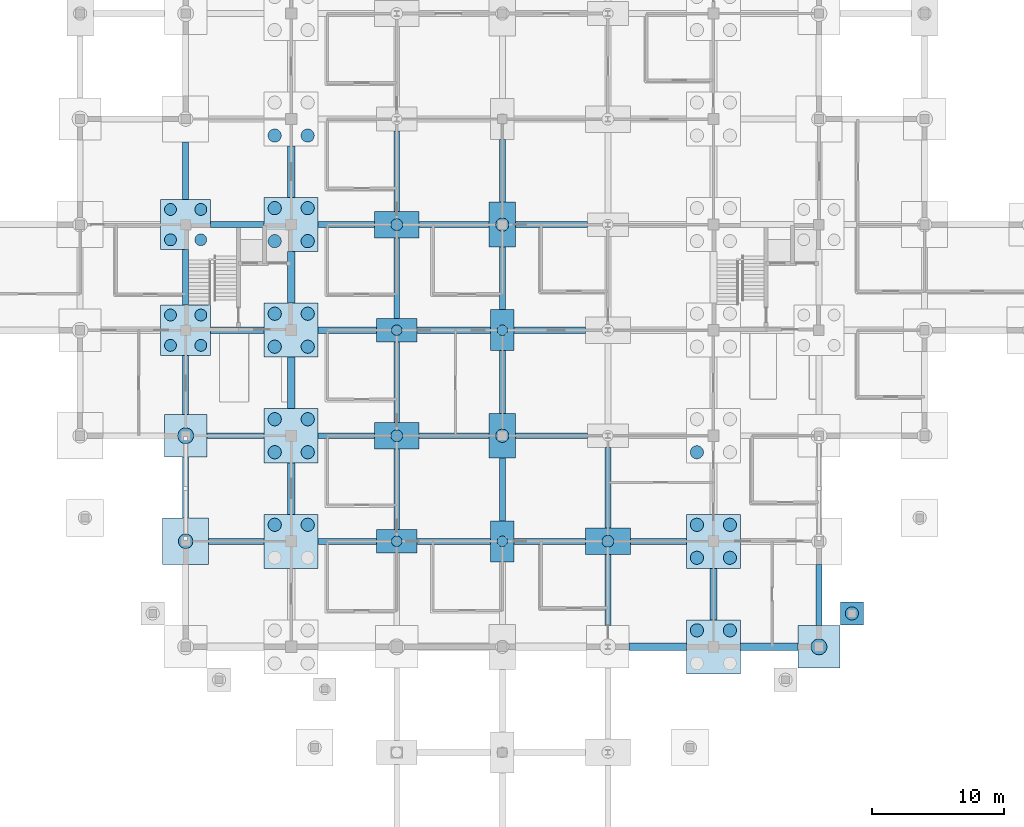
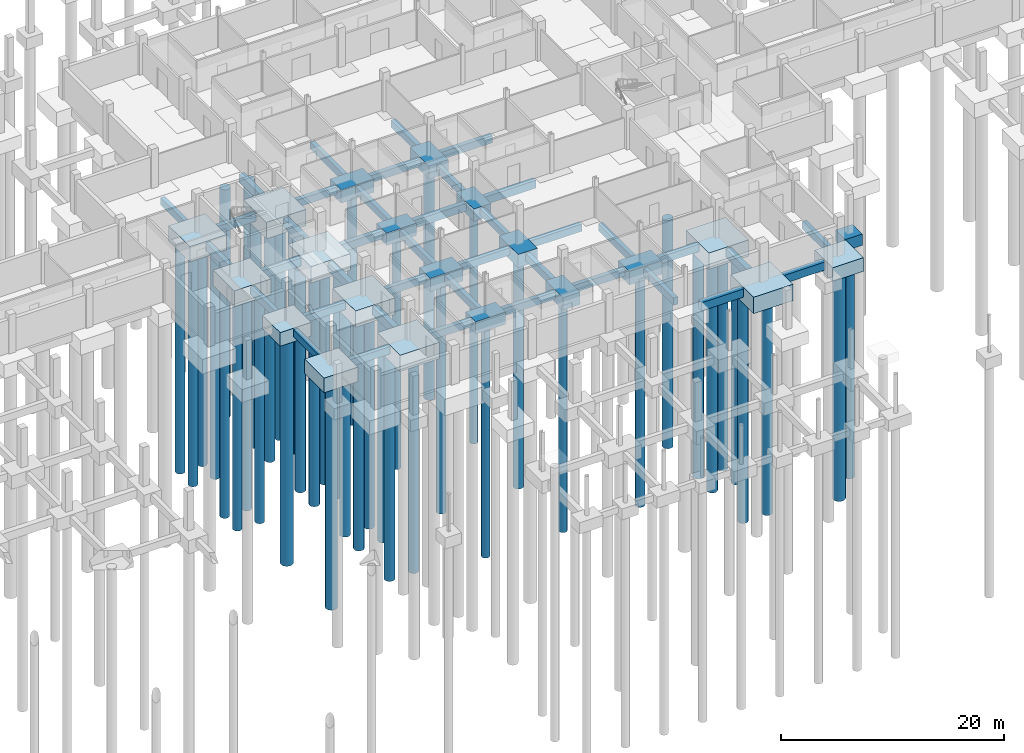
# One storey, part 4 of 48: 60 footings, 44 piles.
"""IFC4 building model written with IfcOpenShell, lengths in metres."""

from ifc_helpers import new_model, si_unit, derived_unit, direction, frame, origin, origin_2d, place, context, subcontext, project, spatial, rectangle, circle, extrude, material, material_profile, profile_set, type_object, element, save


model = new_model("IFC4")

# Units and contexts
model_context = context("Model", 3, precision=1e-05, world=origin(), true_north=direction((0.0, 1.0)))
body_context = subcontext(model_context, "Body", "Model", "MODEL_VIEW")
ifc_project = project(units=[si_unit("LENGTHUNIT", "METRE"), si_unit("AREAUNIT", "SQUARE_METRE"), si_unit("VOLUMEUNIT", "CUBIC_METRE"), si_unit("PLANEANGLEUNIT", "RADIAN"), si_unit("MASSUNIT", "GRAM", prefix="KILO"), derived_unit("THERMALTRANSMITTANCEUNIT", [(si_unit("MASSUNIT", "GRAM", prefix="KILO"), 1), (si_unit("TIMEUNIT", "SECOND"), -3), (si_unit("THERMODYNAMICTEMPERATUREUNIT", "KELVIN"), -1)])], contexts=[model_context])

# Site, building, storey
site_placement = place(None, origin())
site = spatial("IfcSite", under=ifc_project, at=site_placement, CompositionType="ELEMENT")
building_placement = place(site_placement, origin())
building = spatial("IfcBuilding", under=site, at=building_placement, Name="Veyamyaing Civic Hall", CompositionType="ELEMENT")
storey_placement = place(building_placement, frame((0.0, 0.0, -4.2900390625)))
storey = spatial("IfcBuildingStorey", under=building, at=storey_placement, Name="B1", CompositionType="ELEMENT", Elevation=-4.2900390625)

# Footings
ifc_material_1 = material(Name="Concrete C40/50", Category="concrete")
ifc_material_profile_1 = material_profile(ifc_material_1, rectangle(XDim=0.5, YDim=0.85009765625, at=origin_2d()), Name="GB-500X850")
ifc_profile_set_1 = profile_set([ifc_material_profile_1], Name="Concrete C40/50")
footing_type_1 = type_object("IfcFootingType", Name="GB-01", PredefinedType="FOOTING_BEAM", material=ifc_profile_set_1)
footing_1_placement = place(storey_placement, frame((65.89990234375, 48.0, -0.574951171875), z_axis=(1.0, 0.0, 0.0), x_axis=(0.0, 1.0, 0.0)))
element("IfcFooting", 1, at=footing_1_placement, inside=storey, type_object=footing_type_1, Name="Footing tie beam GB-01 X 8-6", PredefinedType="FOOTING_BEAM", context=body_context, shape_type="SweptSolid", body=[
    extrude(rectangle(XDim=0.5, YDim=0.85009765625, at=origin_2d()), origin(), (0.0, 0.0, 1.0), 4.050048828125),
])
footing_2_placement = place(storey_placement, frame((74.050048828125, 48.0, -0.574951171875), z_axis=(1.0, 0.0, 0.0), x_axis=(0.0, 1.0, 0.0)))
element("IfcFooting", 2, at=footing_2_placement, inside=storey, type_object=footing_type_1, Name="Footing tie beam GB-01 X 9-6", PredefinedType="FOOTING_BEAM", context=body_context, shape_type="SweptSolid", body=[
    extrude(rectangle(XDim=0.5, YDim=0.85009765625, at=origin_2d()), origin(), (0.0, 0.0, 1.0), 4.39990234375),
])
footing_3_placement = place(storey_placement, frame((81.550048828125, 48.0, -0.574951171875), z_axis=(1.0, 0.0, 0.0), x_axis=(0.0, 1.0, 0.0)))
element("IfcFooting", 3, at=footing_3_placement, inside=storey, type_object=footing_type_1, Name="Footing tie beam GB-01 X 10-6", PredefinedType="FOOTING_BEAM", context=body_context, shape_type="SweptSolid", body=[
    extrude(rectangle(XDim=0.5, YDim=0.85009765625, at=origin_2d()), origin(), (0.0, 0.0, 1.0), 5.550048828125),
])
footing_4_placement = place(storey_placement, frame((88.89990234375, 48.0, -0.574951171875), z_axis=(1.0, 0.0, 0.0), x_axis=(0.0, 1.0, 0.0)))
element("IfcFooting", 4, at=footing_4_placement, inside=storey, type_object=footing_type_1, Name="Footing tie beam GB-01 X 11-6", PredefinedType="FOOTING_BEAM", context=body_context, shape_type="SweptSolid", body=[
    extrude(rectangle(XDim=0.5, YDim=0.85009765625, at=origin_2d()), origin(), (0.0, 0.0, 1.0), 5.400146484375),
])
ifc_material_profile_2 = material_profile(ifc_material_1, rectangle(XDim=0.449951171875, YDim=0.800048828125, at=origin_2d()), Name="GB-450X800")
ifc_profile_set_2 = profile_set([ifc_material_profile_2], Name="Concrete C40/50")
footing_type_2 = type_object("IfcFootingType", Name="GB-02", PredefinedType="FOOTING_BEAM", material=ifc_profile_set_2)
footing_5_placement = place(storey_placement, frame((65.75, 32.0, -0.550048828125), z_axis=(1.0, 0.0, 0.0), x_axis=(0.0, 1.0, 0.0)))
element("IfcFooting", 5, at=footing_5_placement, inside=storey, type_object=footing_type_2, Name="Footing tie beam GB-02 X 8-4", PredefinedType="FOOTING_BEAM", context=body_context, shape_type="SweptSolid", body=[
    extrude(rectangle(XDim=0.449951171875, YDim=0.800048828125, at=origin_2d()), origin(), (0.0, 0.0, 1.0), 4.199951171875),
])
footing_6_placement = place(storey_placement, frame((64.0, 33.75, -0.550048828125), z_axis=(0.0, 1.0, 0.0), x_axis=(-1.0, 0.0, 0.0)))
element("IfcFooting", 6, at=footing_6_placement, inside=storey, type_object=footing_type_2, Name="Footing tie beam GB-02 Y 8-4", PredefinedType="FOOTING_BEAM", context=body_context, shape_type="SweptSolid", body=[
    extrude(rectangle(XDim=0.449951171875, YDim=0.800048828125, at=origin_2d()), origin(), (0.0, 0.0, 1.0), 4.64990234375),
])
footing_7_placement = place(storey_placement, frame((65.60009765625, 40.0, -0.550048828125), z_axis=(1.0, 0.0, 0.0), x_axis=(0.0, 1.0, 0.0)))
element("IfcFooting", 7, at=footing_7_placement, inside=storey, type_object=footing_type_2, Name="Footing tie beam GB-02 X 8-5", PredefinedType="FOOTING_BEAM", context=body_context, shape_type="SweptSolid", body=[
    extrude(rectangle(XDim=0.449951171875, YDim=0.800048828125, at=origin_2d()), origin(), (0.0, 0.0, 1.0), 4.349853515625),
])
footing_8_placement = place(storey_placement, frame((64.0, 41.60009765625, -0.550048828125), z_axis=(0.0, 1.0, 0.0), x_axis=(-1.0, 0.0, 0.0)))
element("IfcFooting", 8, at=footing_8_placement, inside=storey, type_object=footing_type_2, Name="Footing tie beam GB-02 Y 8-5", PredefinedType="FOOTING_BEAM", context=body_context, shape_type="SweptSolid", body=[
    extrude(rectangle(XDim=0.449951171875, YDim=0.800048828125, at=origin_2d()), origin(), (0.0, 0.0, 1.0), 4.5),
])
footing_9_placement = place(storey_placement, frame((64.0, 49.89990234375, -0.550048828125), z_axis=(0.0, 1.0, 0.0), x_axis=(-1.0, 0.0, 0.0)))
element("IfcFooting", 9, at=footing_9_placement, inside=storey, type_object=footing_type_2, Name="Footing tie beam GB-02 Y 8-6", PredefinedType="FOOTING_BEAM", context=body_context, shape_type="SweptSolid", body=[
    extrude(rectangle(XDim=0.449951171875, YDim=0.800048828125, at=origin_2d()), origin(), (0.0, 0.0, 1.0), 4.2001953125),
])
footing_10_placement = place(storey_placement, frame((65.89990234375, 56.0, -0.550048828125), z_axis=(1.0, 0.0, 0.0), x_axis=(0.0, 1.0, 0.0)))
element("IfcFooting", 10, at=footing_10_placement, inside=storey, type_object=footing_type_2, Name="Footing tie beam GB-02 X 8-7", PredefinedType="FOOTING_BEAM", context=body_context, shape_type="SweptSolid", body=[
    extrude(rectangle(XDim=0.449951171875, YDim=0.800048828125, at=origin_2d()), origin(), (0.0, 0.0, 1.0), 4.050048828125),
])
footing_11_placement = place(storey_placement, frame((64.0, 57.89990234375, -0.550048828125), z_axis=(0.0, 1.0, 0.0), x_axis=(-1.0, 0.0, 0.0)))
element("IfcFooting", 11, at=footing_11_placement, inside=storey, type_object=footing_type_2, Name="Footing tie beam GB-02 Y 8-7", PredefinedType="FOOTING_BEAM", context=body_context, shape_type="SweptSolid", body=[
    extrude(rectangle(XDim=0.449951171875, YDim=0.800048828125, at=origin_2d()), origin(), (0.0, 0.0, 1.0), 4.35009765625),
])
footing_12_placement = place(storey_placement, frame((74.050048828125, 32.0, -0.550048828125), z_axis=(1.0, 0.0, 0.0), x_axis=(0.0, 1.0, 0.0)))
element("IfcFooting", 12, at=footing_12_placement, inside=storey, type_object=footing_type_2, Name="Footing tie beam GB-02 X 9-4", PredefinedType="FOOTING_BEAM", context=body_context, shape_type="SweptSolid", body=[
    extrude(rectangle(XDim=0.449951171875, YDim=0.800048828125, at=origin_2d()), origin(), (0.0, 0.0, 1.0), 4.39990234375),
])
for number, where, z_axis, x_axis, name in (
    (13, (74.050048828125, 40.0, -0.550048828125), (1.0, 0.0, 0.0), (0.0, 1.0, 0.0), "Footing tie beam GB-02 X 9-5"),
    (14, (74.050048828125, 56.0, -0.550048828125), (1.0, 0.0, 0.0), (0.0, 1.0, 0.0), "Footing tie beam GB-02 X 9-7"),
):
    element("IfcFooting", number, at=place(storey_placement, frame(where, z_axis=z_axis, x_axis=x_axis)), inside=storey, type_object=footing_type_2, Name=name, PredefinedType="FOOTING_BEAM", context=body_context, shape_type="SweptSolid", body=[
        extrude(rectangle(XDim=0.449951171875, YDim=0.800048828125, at=origin_2d()), origin(), (0.0, 0.0, 1.0), 4.25),
    ])
footing_13_placement = place(storey_placement, frame((81.550048828125, 32.0, -0.550048828125), z_axis=(1.0, 0.0, 0.0), x_axis=(0.0, 1.0, 0.0)))
element("IfcFooting", 15, at=footing_13_placement, inside=storey, type_object=footing_type_2, Name="Footing tie beam GB-02 X 10-4", PredefinedType="FOOTING_BEAM", context=body_context, shape_type="SweptSolid", body=[
    extrude(rectangle(XDim=0.449951171875, YDim=0.800048828125, at=origin_2d()), origin(), (0.0, 0.0, 1.0), 5.550048828125),
])
footing_14_placement = place(storey_placement, frame((80.0, 32.89990234375, -0.550048828125), z_axis=(0.0, 1.0, 0.0), x_axis=(-1.0, 0.0, 0.0)))
element("IfcFooting", 16, at=footing_14_placement, inside=storey, type_object=footing_type_2, Name="Footing tie beam GB-02 Y 10-4", PredefinedType="FOOTING_BEAM", context=body_context, shape_type="SweptSolid", body=[
    extrude(rectangle(XDim=0.449951171875, YDim=0.800048828125, at=origin_2d()), origin(), (0.0, 0.0, 1.0), 6.10009765625),
])
footing_15_placement = place(storey_placement, frame((81.699951171875, 40.0, -0.550048828125), z_axis=(1.0, 0.0, 0.0), x_axis=(0.0, 1.0, 0.0)))
element("IfcFooting", 17, at=footing_15_placement, inside=storey, type_object=footing_type_2, Name="Footing tie beam GB-02 X 10-5", PredefinedType="FOOTING_BEAM", context=body_context, shape_type="SweptSolid", body=[
    extrude(rectangle(XDim=0.449951171875, YDim=0.800048828125, at=origin_2d()), origin(), (0.0, 0.0, 1.0), 5.300048828125),
])
for number, where, z_axis, x_axis, name in (
    (18, (80.0, 41.0, -0.550048828125), (0.0, 1.0, 0.0), (-1.0, 0.0, 0.0), "Footing tie beam GB-02 Y 10-5"),
    (19, (80.0, 48.89990234375, -0.550048828125), (0.0, 1.0, 0.0), (-1.0, 0.0, 0.0), "Footing tie beam GB-02 Y 10-6"),
):
    element("IfcFooting", number, at=place(storey_placement, frame(where, z_axis=z_axis, x_axis=x_axis)), inside=storey, type_object=footing_type_2, Name=name, PredefinedType="FOOTING_BEAM", context=body_context, shape_type="SweptSolid", body=[
        extrude(rectangle(XDim=0.449951171875, YDim=0.800048828125, at=origin_2d()), origin(), (0.0, 0.0, 1.0), 6.10009765625),
    ])
footing_16_placement = place(storey_placement, frame((81.699951171875, 56.0, -0.550048828125), z_axis=(1.0, 0.0, 0.0), x_axis=(0.0, 1.0, 0.0)))
element("IfcFooting", 20, at=footing_16_placement, inside=storey, type_object=footing_type_2, Name="Footing tie beam GB-02 X 10-7", PredefinedType="FOOTING_BEAM", context=body_context, shape_type="SweptSolid", body=[
    extrude(rectangle(XDim=0.449951171875, YDim=0.800048828125, at=origin_2d()), origin(), (0.0, 0.0, 1.0), 5.300048828125),
])
footing_17_placement = place(storey_placement, frame((80.0, 57.0, -0.550048828125), z_axis=(0.0, 1.0, 0.0), x_axis=(-1.0, 0.0, 0.0)))
element("IfcFooting", 21, at=footing_17_placement, inside=storey, type_object=footing_type_2, Name="Footing tie beam GB-02 Y 10-7", PredefinedType="FOOTING_BEAM", context=body_context, shape_type="SweptSolid", body=[
    extrude(rectangle(XDim=0.449951171875, YDim=0.800048828125, at=origin_2d()), origin(), (0.0, 0.0, 1.0), 6.10009765625),
])
footing_18_placement = place(storey_placement, frame((88.89990234375, 32.0, -0.550048828125), z_axis=(1.0, 0.0, 0.0), x_axis=(0.0, 1.0, 0.0)))
element("IfcFooting", 22, at=footing_18_placement, inside=storey, type_object=footing_type_2, Name="Footing tie beam GB-02 X 11-4", PredefinedType="FOOTING_BEAM", context=body_context, shape_type="SweptSolid", body=[
    extrude(rectangle(XDim=0.449951171875, YDim=0.800048828125, at=origin_2d()), origin(), (0.0, 0.0, 1.0), 5.400146484375),
])
footing_19_placement = place(storey_placement, frame((88.0, 33.550048828125, -0.550048828125), z_axis=(0.0, 1.0, 0.0), x_axis=(-1.0, 0.0, 0.0)))
element("IfcFooting", 23, at=footing_19_placement, inside=storey, type_object=footing_type_2, Name="Footing tie beam GB-02 Y 11-4", PredefinedType="FOOTING_BEAM", context=body_context, shape_type="SweptSolid", body=[
    extrude(rectangle(XDim=0.449951171875, YDim=0.800048828125, at=origin_2d()), origin(), (0.0, 0.0, 1.0), 4.75),
])
footing_20_placement = place(storey_placement, frame((89.0, 40.0, -0.550048828125), z_axis=(1.0, 0.0, 0.0), x_axis=(0.0, 1.0, 0.0)))
element("IfcFooting", 24, at=footing_20_placement, inside=storey, type_object=footing_type_2, Name="Footing tie beam GB-02 X 11-5", PredefinedType="FOOTING_BEAM", context=body_context, shape_type="SweptSolid", body=[
    extrude(rectangle(XDim=0.449951171875, YDim=0.800048828125, at=origin_2d()), origin(), (0.0, 0.0, 1.0), 5.449951171875),
])
for number, where, z_axis, x_axis, name in (
    (25, (88.0, 41.699951171875, -0.550048828125), (0.0, 1.0, 0.0), (-1.0, 0.0, 0.0), "Footing tie beam GB-02 Y 11-5"),
    (26, (88.0, 49.550048828125, -0.550048828125), (0.0, 1.0, 0.0), (-1.0, 0.0, 0.0), "Footing tie beam GB-02 Y 11-6"),
):
    element("IfcFooting", number, at=place(storey_placement, frame(where, z_axis=z_axis, x_axis=x_axis)), inside=storey, type_object=footing_type_2, Name=name, PredefinedType="FOOTING_BEAM", context=body_context, shape_type="SweptSolid", body=[
        extrude(rectangle(XDim=0.449951171875, YDim=0.800048828125, at=origin_2d()), origin(), (0.0, 0.0, 1.0), 4.75),
    ])
footing_21_placement = place(storey_placement, frame((89.0, 56.0, -0.550048828125), z_axis=(1.0, 0.0, 0.0), x_axis=(0.0, 1.0, 0.0)))
element("IfcFooting", 27, at=footing_21_placement, inside=storey, type_object=footing_type_2, Name="Footing tie beam GB-02 X 11-7", PredefinedType="FOOTING_BEAM", context=body_context, shape_type="SweptSolid", body=[
    extrude(rectangle(XDim=0.449951171875, YDim=0.800048828125, at=origin_2d()), origin(), (0.0, 0.0, 1.0), 5.449951171875),
])
footing_22_placement = place(storey_placement, frame((88.0, 57.699951171875, -0.550048828125), z_axis=(0.0, 1.0, 0.0), x_axis=(-1.0, 0.0, 0.0)))
element("IfcFooting", 28, at=footing_22_placement, inside=storey, type_object=footing_type_2, Name="Footing tie beam GB-02 Y 11-7", PredefinedType="FOOTING_BEAM", context=body_context, shape_type="SweptSolid", body=[
    extrude(rectangle(XDim=0.449951171875, YDim=0.800048828125, at=origin_2d()), origin(), (0.0, 0.0, 1.0), 4.75),
])
footing_23_placement = place(storey_placement, frame((96.0, 25.60009765625, -0.550048828125), z_axis=(0.0, 1.0, 0.0), x_axis=(-1.0, 0.0, 0.0)))
element("IfcFooting", 29, at=footing_23_placement, inside=storey, type_object=footing_type_2, Name="Footing tie beam GB-02 Y 12-3", PredefinedType="FOOTING_BEAM", context=body_context, shape_type="SweptSolid", body=[
    extrude(rectangle(XDim=0.449951171875, YDim=0.800048828125, at=origin_2d()), origin(), (0.0, 0.0, 1.0), 5.39990234375),
])
footing_24_placement = place(storey_placement, frame((97.699951171875, 32.0, -0.550048828125), z_axis=(1.0, 0.0, 0.0), x_axis=(0.0, 1.0, 0.0)))
element("IfcFooting", 30, at=footing_24_placement, inside=storey, type_object=footing_type_2, Name="Footing tie beam GB-02 X 12-4", PredefinedType="FOOTING_BEAM", context=body_context, shape_type="SweptSolid", body=[
    extrude(rectangle(XDim=0.449951171875, YDim=0.800048828125, at=origin_2d()), origin(), (0.0, 0.0, 1.0), 4.25),
])
footing_25_placement = place(storey_placement, frame((96.0, 33.0, -0.550048828125), z_axis=(0.0, 1.0, 0.0), x_axis=(-1.0, 0.0, 0.0)))
element("IfcFooting", 31, at=footing_25_placement, inside=storey, type_object=footing_type_2, Name="Footing tie beam GB-02 Y 12-4", PredefinedType="FOOTING_BEAM", context=body_context, shape_type="SweptSolid", body=[
    extrude(rectangle(XDim=0.449951171875, YDim=0.800048828125, at=origin_2d()), origin(), (0.0, 0.0, 1.0), 6.10009765625),
])
footing_26_placement = place(storey_placement, frame((112.0, 25.60009765625, -0.550048828125), z_axis=(0.0, 1.0, 0.0), x_axis=(-1.0, 0.0, 0.0)))
element("IfcFooting", 32, at=footing_26_placement, inside=storey, type_object=footing_type_2, Name="Footing tie beam GB-02 Y 14-3", PredefinedType="FOOTING_BEAM", context=body_context, shape_type="SweptSolid", body=[
    extrude(rectangle(XDim=0.449951171875, YDim=0.800048828125, at=origin_2d()), origin(), (0.0, 0.0, 1.0), 4.64990234375),
])
ifc_material_profile_3 = material_profile(ifc_material_1, rectangle(XDim=0.550048828125, YDim=0.89990234375, at=origin_2d()), Name="GB-550X900")
ifc_profile_set_3 = profile_set([ifc_material_profile_3], Name="Concrete C40/50")
footing_type_3 = type_object("IfcFootingType", Name="GB-04", PredefinedType="FOOTING_BEAM", material=ifc_profile_set_3)
for number, where, z_axis, x_axis, name in (
    (33, (72.0, 34.050048828125, -0.599853515625), (0.0, 1.0, 0.0), (-1.0, 0.0, 0.0), "Footing tie beam GB-04 Y 9-4"),
    (34, (72.0, 42.050048828125, -0.599853515625), (0.0, 1.0, 0.0), (-1.0, 0.0, 0.0), "Footing tie beam GB-04 Y 9-5"),
    (35, (72.0, 50.050048828125, -0.599853515625), (0.0, 1.0, 0.0), (-1.0, 0.0, 0.0), "Footing tie beam GB-04 Y 9-6"),
    (36, (72.0, 58.050048828125, -0.599853515625), (0.0, 1.0, 0.0), (-1.0, 0.0, 0.0), "Footing tie beam GB-04 Y 9-7"),
):
    element("IfcFooting", number, at=place(storey_placement, frame(where, z_axis=z_axis, x_axis=x_axis)), inside=storey, type_object=footing_type_3, Name=name, PredefinedType="FOOTING_BEAM", context=body_context, shape_type="SweptSolid", body=[
        extrude(rectangle(XDim=0.550048828125, YDim=0.89990234375, at=origin_2d()), origin(), (0.0, 0.0, 1.0), 3.89990234375),
    ])
for number, where, z_axis, x_axis, name in (
    (37, (97.60009765625, 24.0, -0.599853515625), (1.0, 0.0, 0.0), (0.0, 1.0, 0.0), "Footing tie beam GB-04 X 12-3"),
    (38, (106.050048828125, 24.0, -0.599853515625), (1.0, 0.0, 0.0), (0.0, 1.0, 0.0), "Footing tie beam GB-04 X 13-3"),
):
    element("IfcFooting", number, at=place(storey_placement, frame(where, z_axis=z_axis, x_axis=x_axis)), inside=storey, type_object=footing_type_3, Name=name, PredefinedType="FOOTING_BEAM", context=body_context, shape_type="SweptSolid", body=[
        extrude(rectangle(XDim=0.550048828125, YDim=0.89990234375, at=origin_2d()), origin(), (0.0, 0.0, 1.0), 4.349853515625),
    ])
footing_27_placement = place(storey_placement, frame((104.0, 26.050048828125, -0.599853515625), z_axis=(0.0, 1.0, 0.0), x_axis=(-1.0, 0.0, 0.0)))
element("IfcFooting", 39, at=footing_27_placement, inside=storey, type_object=footing_type_3, Name="Footing tie beam GB-04 Y 13-3", PredefinedType="FOOTING_BEAM", context=body_context, shape_type="SweptSolid", body=[
    extrude(rectangle(XDim=0.550048828125, YDim=0.89990234375, at=origin_2d()), origin(), (0.0, 0.0, 1.0), 3.89990234375),
])

# Piles
ifc_material_2 = material(Name="Concrete C35/45", Category="concrete")
ifc_material_profile_4 = material_profile(ifc_material_2, circle(Radius=0.60009765625, at=origin_2d()), Name="PILE-D1200")
ifc_profile_set_4 = profile_set([ifc_material_profile_4], Name="Concrete C35/45")
pile_type_1 = type_object("IfcPileType", Name="P-01", PredefinedType="BORED", material=ifc_profile_set_4)
for number, where, z_axis, x_axis, name in (
    (40, (64.0, 40.0, -1.39990234375), (0.0, 0.0, -1.0), (1.0, 0.0, 0.0), "Bored pile P-01 G08-05.1"),
    (41, (112.0, 24.0, -1.39990234375), (0.0, 0.0, -1.0), (1.0, 0.0, 0.0), "Bored pile P-01 G14-03.1"),
):
    element("IfcPile", number, at=place(storey_placement, frame(where, z_axis=z_axis, x_axis=x_axis)), inside=storey, type_object=pile_type_1, Name=name, PredefinedType="BORED", context=body_context, shape_type="SweptSolid", body=[
        extrude(circle(Radius=0.60009765625, at=origin_2d()), origin(), (0.0, 0.0, 1.0), 25.31005859375),
    ])
ifc_material_profile_5 = material_profile(ifc_material_2, circle(Radius=0.550048828125, at=origin_2d()), Name="PILE-D1100")
ifc_profile_set_5 = profile_set([ifc_material_profile_5], Name="Concrete C35/45")
pile_type_2 = type_object("IfcPileType", Name="P-02", PredefinedType="BORED", material=ifc_profile_set_5)
pile_1_placement = place(storey_placement, frame((64.0, 32.0, -1.5), z_axis=(0.0, 0.0, -1.0), x_axis=(1.0, 0.0, 0.0)))
element("IfcPile", 42, at=pile_1_placement, inside=storey, type_object=pile_type_2, Name="Bored pile P-02 G08-04.1", PredefinedType="BORED", context=body_context, shape_type="SweptSolid", body=[
    extrude(circle(Radius=0.550048828125, at=origin_2d()), origin(), (0.0, 0.0, 1.0), 25.2099609375),
])
ifc_material_profile_6 = material_profile(ifc_material_2, circle(Radius=0.5, at=origin_2d()), Name="PILE-D1000")
ifc_profile_set_6 = profile_set([ifc_material_profile_6], Name="Concrete C35/45")
pile_type_3 = type_object("IfcPileType", Name="P-03", PredefinedType="BORED", material=ifc_profile_set_6)
for number, where, z_axis, x_axis, name in (
    (43, (70.75, 33.25, -1.699951171875), (0.0, 0.0, -1.0), (1.0, 0.0, 0.0), "Bored pile P-03 G09-04.2"),
    (44, (73.25, 33.25, -1.699951171875), (0.0, 0.0, -1.0), (1.0, 0.0, 0.0), "Bored pile P-03 G09-04.4"),
    (45, (70.75, 38.75, -1.699951171875), (0.0, 0.0, -1.0), (1.0, 0.0, 0.0), "Bored pile P-03 G09-05.1"),
    (46, (70.75, 41.25, -1.699951171875), (0.0, 0.0, -1.0), (1.0, 0.0, 0.0), "Bored pile P-03 G09-05.2"),
    (47, (73.25, 38.75, -1.699951171875), (0.0, 0.0, -1.0), (1.0, 0.0, 0.0), "Bored pile P-03 G09-05.3"),
    (48, (73.25, 41.25, -1.699951171875), (0.0, 0.0, -1.0), (1.0, 0.0, 0.0), "Bored pile P-03 G09-05.4"),
    (49, (70.75, 46.75, -1.699951171875), (0.0, 0.0, -1.0), (1.0, 0.0, 0.0), "Bored pile P-03 G09-06.1"),
    (50, (70.75, 49.25, -1.699951171875), (0.0, 0.0, -1.0), (1.0, 0.0, 0.0), "Bored pile P-03 G09-06.2"),
    (51, (73.25, 46.75, -1.699951171875), (0.0, 0.0, -1.0), (1.0, 0.0, 0.0), "Bored pile P-03 G09-06.3"),
    (52, (73.25, 49.25, -1.699951171875), (0.0, 0.0, -1.0), (1.0, 0.0, 0.0), "Bored pile P-03 G09-06.4"),
    (53, (70.75, 54.75, -1.699951171875), (0.0, 0.0, -1.0), (1.0, 0.0, 0.0), "Bored pile P-03 G09-07.1"),
    (54, (70.75, 57.25, -1.699951171875), (0.0, 0.0, -1.0), (1.0, 0.0, 0.0), "Bored pile P-03 G09-07.2"),
    (55, (73.25, 54.75, -1.699951171875), (0.0, 0.0, -1.0), (1.0, 0.0, 0.0), "Bored pile P-03 G09-07.3"),
    (56, (73.25, 57.25, -1.699951171875), (0.0, 0.0, -1.0), (1.0, 0.0, 0.0), "Bored pile P-03 G09-07.4"),
    (57, (70.75, 62.75, -1.699951171875), (0.0, 0.0, -1.0), (1.0, 0.0, 0.0), "Bored pile P-03 G09-08.1"),
    (58, (73.25, 62.75, -1.699951171875), (0.0, 0.0, -1.0), (1.0, 0.0, 0.0), "Bored pile P-03 G09-08.3"),
):
    element("IfcPile", number, at=place(storey_placement, frame(where, z_axis=z_axis, x_axis=x_axis)), inside=storey, type_object=pile_type_3, Name=name, PredefinedType="BORED", context=body_context, shape_type="SweptSolid", body=[
        extrude(circle(Radius=0.5, at=origin_2d()), origin(), (0.0, 0.0, 1.0), 25.010009765625),
    ])
for number, where, z_axis, x_axis, name in (
    (59, (88.0, 40.0, -1.349853515625), (0.0, 0.0, -1.0), (1.0, 0.0, 0.0), "Bored pile P-03 G11-05.1"),
    (60, (88.0, 56.0, -1.349853515625), (0.0, 0.0, -1.0), (1.0, 0.0, 0.0), "Bored pile P-03 G11-07.1"),
):
    element("IfcPile", number, at=place(storey_placement, frame(where, z_axis=z_axis, x_axis=x_axis)), inside=storey, type_object=pile_type_3, Name=name, PredefinedType="BORED", context=body_context, shape_type="SweptSolid", body=[
        extrude(circle(Radius=0.5, at=origin_2d()), origin(), (0.0, 0.0, 1.0), 25.360107421875),
    ])
for number, where, z_axis, x_axis, name in (
    (61, (102.75, 25.25, -1.699951171875), (0.0, 0.0, -1.0), (1.0, 0.0, 0.0), "Bored pile P-03 G13-03.2"),
    (62, (105.25, 25.25, -1.699951171875), (0.0, 0.0, -1.0), (1.0, 0.0, 0.0), "Bored pile P-03 G13-03.4"),
    (63, (102.75, 30.75, -1.699951171875), (0.0, 0.0, -1.0), (1.0, 0.0, 0.0), "Bored pile P-03 G13-04.1"),
    (64, (102.75, 33.25, -1.699951171875), (0.0, 0.0, -1.0), (1.0, 0.0, 0.0), "Bored pile P-03 G13-04.2"),
    (65, (105.25, 30.75, -1.699951171875), (0.0, 0.0, -1.0), (1.0, 0.0, 0.0), "Bored pile P-03 G13-04.3"),
    (66, (105.25, 33.25, -1.699951171875), (0.0, 0.0, -1.0), (1.0, 0.0, 0.0), "Bored pile P-03 G13-04.4"),
    (67, (102.75, 38.75, -1.699951171875), (0.0, 0.0, -1.0), (1.0, 0.0, 0.0), "Bored pile P-03 G13-05.1"),
):
    element("IfcPile", number, at=place(storey_placement, frame(where, z_axis=z_axis, x_axis=x_axis)), inside=storey, type_object=pile_type_3, Name=name, PredefinedType="BORED", context=body_context, shape_type="SweptSolid", body=[
        extrude(circle(Radius=0.5, at=origin_2d()), origin(), (0.0, 0.0, 1.0), 25.010009765625),
    ])
pile_2_placement = place(storey_placement, frame((114.4951171875, 26.533447265625, -1.14990234375), z_axis=(0.0, 0.0, -1.0), x_axis=(1.0, 0.0, 0.0)))
element("IfcPile", 68, at=pile_2_placement, inside=storey, type_object=pile_type_3, Name="Bored pile P-03 ARC-SE-09.1", PredefinedType="BORED", context=body_context, shape_type="SweptSolid", body=[
    extrude(circle(Radius=0.5, at=origin_2d()), origin(), (0.0, 0.0, 1.0), 25.56005859375),
])
ifc_material_profile_7 = material_profile(ifc_material_2, circle(Radius=0.449951171875, at=origin_2d()), Name="PILE-D900")
ifc_profile_set_7 = profile_set([ifc_material_profile_7], Name="Concrete C35/45")
pile_type_4 = type_object("IfcPileType", Name="P-04", PredefinedType="BORED", material=ifc_profile_set_7)
for number, where, z_axis, x_axis, name in (
    (69, (62.85009765625, 46.85009765625, -1.599853515625), (0.0, 0.0, -1.0), (1.0, 0.0, 0.0), "Bored pile P-04 G08-06.1"),
    (70, (62.85009765625, 49.14990234375, -1.599853515625), (0.0, 0.0, -1.0), (1.0, 0.0, 0.0), "Bored pile P-04 G08-06.2"),
    (71, (65.14990234375, 46.85009765625, -1.599853515625), (0.0, 0.0, -1.0), (1.0, 0.0, 0.0), "Bored pile P-04 G08-06.3"),
    (72, (65.14990234375, 49.14990234375, -1.599853515625), (0.0, 0.0, -1.0), (1.0, 0.0, 0.0), "Bored pile P-04 G08-06.4"),
    (73, (62.85009765625, 54.85009765625, -1.599853515625), (0.0, 0.0, -1.0), (1.0, 0.0, 0.0), "Bored pile P-04 G08-07.1"),
    (74, (62.85009765625, 57.14990234375, -1.599853515625), (0.0, 0.0, -1.0), (1.0, 0.0, 0.0), "Bored pile P-04 G08-07.2"),
    (75, (65.14990234375, 54.85009765625, -1.599853515625), (0.0, 0.0, -1.0), (1.0, 0.0, 0.0), "Bored pile P-04 G08-07.3"),
    (76, (65.14990234375, 57.14990234375, -1.599853515625), (0.0, 0.0, -1.0), (1.0, 0.0, 0.0), "Bored pile P-04 G08-07.4"),
):
    element("IfcPile", number, at=place(storey_placement, frame(where, z_axis=z_axis, x_axis=x_axis)), inside=storey, type_object=pile_type_4, Name=name, PredefinedType="BORED", context=body_context, shape_type="SweptSolid", body=[
        extrude(circle(Radius=0.449951171875, at=origin_2d()), origin(), (0.0, 0.0, 1.0), 25.110107421875),
    ])
for number, where, z_axis, x_axis, name in (
    (77, (80.0, 40.0, -1.349853515625), (0.0, 0.0, -1.0), (1.0, 0.0, 0.0), "Bored pile P-04 G10-05.1"),
    (78, (80.0, 56.0, -1.349853515625), (0.0, 0.0, -1.0), (1.0, 0.0, 0.0), "Bored pile P-04 G10-07.1"),
    (79, (96.0, 32.0, -1.349853515625), (0.0, 0.0, -1.0), (1.0, 0.0, 0.0), "Bored pile P-04 G12-04.1"),
):
    element("IfcPile", number, at=place(storey_placement, frame(where, z_axis=z_axis, x_axis=x_axis)), inside=storey, type_object=pile_type_4, Name=name, PredefinedType="BORED", context=body_context, shape_type="SweptSolid", body=[
        extrude(circle(Radius=0.449951171875, at=origin_2d()), origin(), (0.0, 0.0, 1.0), 25.360107421875),
    ])
ifc_material_profile_8 = material_profile(ifc_material_2, circle(Radius=0.39990234375, at=origin_2d()), Name="PILE-D800")
ifc_profile_set_8 = profile_set([ifc_material_profile_8], Name="Concrete C35/45")
pile_type_5 = type_object("IfcPileType", Name="P-05", PredefinedType="BORED", material=ifc_profile_set_8)
for number, where, z_axis, x_axis, name in (
    (80, (80.0, 32.0, -1.25), (0.0, 0.0, -1.0), (1.0, 0.0, 0.0), "Bored pile P-05 G10-04.1"),
    (81, (80.0, 48.0, -1.25), (0.0, 0.0, -1.0), (1.0, 0.0, 0.0), "Bored pile P-05 G10-06.1"),
    (82, (88.0, 32.0, -1.25), (0.0, 0.0, -1.0), (1.0, 0.0, 0.0), "Bored pile P-05 G11-04.1"),
    (83, (88.0, 48.0, -1.25), (0.0, 0.0, -1.0), (1.0, 0.0, 0.0), "Bored pile P-05 G11-06.1"),
):
    element("IfcPile", number, at=place(storey_placement, frame(where, z_axis=z_axis, x_axis=x_axis)), inside=storey, type_object=pile_type_5, Name=name, PredefinedType="BORED", context=body_context, shape_type="SweptSolid", body=[
        extrude(circle(Radius=0.39990234375, at=origin_2d()), origin(), (0.0, 0.0, 1.0), 25.4599609375),
    ])

# Footings
footing_type_4 = type_object("IfcFootingType", Name="PC-01", PredefinedType="PILE_CAP", material=ifc_material_1)
for number, where, z_axis, x_axis, name in (
    (84, (64.0, 48.0, -1.69970703125), (0.0, 0.0, 1.0), (1.0, 0.0, 0.0), "Pile cap PC-01 G08-06"),
    (85, (64.0, 56.0, -1.69970703125), (0.0, 0.0, 1.0), (1.0, 0.0, 0.0), "Pile cap PC-01 G08-07"),
):
    element("IfcFooting", number, at=place(storey_placement, frame(where, z_axis=z_axis, x_axis=x_axis)), inside=storey, type_object=footing_type_4, Name=name, PredefinedType="PILE_CAP", context=body_context, shape_type="SweptSolid", body=[
        extrude(rectangle(XDim=3.800048828125, YDim=3.800048828125, at=origin_2d()), origin(), (0.0, 0.0, 1.0), 1.699951171875),
    ])
footing_type_5 = type_object("IfcFootingType", Name="PC-02", PredefinedType="PILE_CAP", material=ifc_material_1)
footing_28_placement = place(storey_placement, frame((64.0, 32.0, -1.60009765625), z_axis=(0.0, 0.0, 1.0), x_axis=(1.0, 0.0, 0.0)))
element("IfcFooting", 86, at=footing_28_placement, inside=storey, type_object=footing_type_5, Name="Pile cap PC-02 G08-04", PredefinedType="PILE_CAP", context=body_context, shape_type="SweptSolid", body=[
    extrude(rectangle(XDim=3.5, YDim=3.5, at=origin_2d()), origin(), (0.0, 0.0, 1.0), 1.60009765625),
])
footing_type_6 = type_object("IfcFootingType", Name="PC-03", PredefinedType="PILE_CAP", material=ifc_material_1)
for number, where, z_axis, x_axis, name in (
    (87, (64.0, 40.0, -1.5), (0.0, 0.0, 1.0), (1.0, 0.0, 0.0), "Pile cap PC-03 G08-05"),
    (88, (112.0, 24.0, -1.5), (0.0, 0.0, 1.0), (1.0, 0.0, 0.0), "Pile cap PC-03 G14-03"),
):
    element("IfcFooting", number, at=place(storey_placement, frame(where, z_axis=z_axis, x_axis=x_axis)), inside=storey, type_object=footing_type_6, Name=name, PredefinedType="PILE_CAP", context=body_context, shape_type="SweptSolid", body=[
        extrude(rectangle(XDim=3.199951171875, YDim=3.199951171875, at=origin_2d()), origin(), (0.0, 0.0, 1.0), 1.5),
    ])
footing_type_7 = type_object("IfcFootingType", Name="PC-04", PredefinedType="PILE_CAP", material=ifc_material_1)
for number, where, z_axis, x_axis, name in (
    (89, (80.0, 40.0, -1.44970703125), (0.0, 0.0, 1.0), (1.0, 0.0, 0.0), "Pile cap PC-04 G10-05"),
    (90, (80.0, 56.0, -1.44970703125), (0.0, 0.0, 1.0), (1.0, 0.0, 0.0), "Pile cap PC-04 G10-07"),
    (91, (96.0, 32.0, -1.44970703125), (0.0, 0.0, 1.0), (1.0, 0.0, 0.0), "Pile cap PC-04 G12-04"),
):
    element("IfcFooting", number, at=place(storey_placement, frame(where, z_axis=z_axis, x_axis=x_axis)), inside=storey, type_object=footing_type_7, Name=name, PredefinedType="PILE_CAP", context=body_context, shape_type="SweptSolid", body=[
        extrude(rectangle(XDim=3.39990234375, YDim=2.0, at=origin_2d()), origin(), (0.0, 0.0, 1.0), 1.449951171875),
    ])
footing_type_8 = type_object("IfcFootingType", Name="PC-05", PredefinedType="PILE_CAP", material=ifc_material_1)
for number, where, z_axis, x_axis, name in (
    (92, (88.0, 40.0, -1.44970703125), (0.0, 0.0, 1.0), (1.0, 0.0, 0.0), "Pile cap PC-05 G11-05"),
    (93, (88.0, 56.0, -1.44970703125), (0.0, 0.0, 1.0), (1.0, 0.0, 0.0), "Pile cap PC-05 G11-07"),
):
    element("IfcFooting", number, at=place(storey_placement, frame(where, z_axis=z_axis, x_axis=x_axis)), inside=storey, type_object=footing_type_8, Name=name, PredefinedType="PILE_CAP", context=body_context, shape_type="SweptSolid", body=[
        extrude(rectangle(XDim=2.0, YDim=3.39990234375, at=origin_2d()), origin(), (0.0, 0.0, 1.0), 1.449951171875),
    ])
footing_type_9 = type_object("IfcFootingType", Name="PC-06", PredefinedType="PILE_CAP", material=ifc_material_1)
for number, where, z_axis, x_axis, name in (
    (94, (80.0, 32.0, -1.35009765625), (0.0, 0.0, 1.0), (1.0, 0.0, 0.0), "Pile cap PC-06 G10-04"),
    (95, (80.0, 48.0, -1.35009765625), (0.0, 0.0, 1.0), (1.0, 0.0, 0.0), "Pile cap PC-06 G10-06"),
):
    element("IfcFooting", number, at=place(storey_placement, frame(where, z_axis=z_axis, x_axis=x_axis)), inside=storey, type_object=footing_type_9, Name=name, PredefinedType="PILE_CAP", context=body_context, shape_type="SweptSolid", body=[
        extrude(rectangle(XDim=3.10009765625, YDim=1.800048828125, at=origin_2d()), origin(), (0.0, 0.0, 1.0), 1.35009765625),
    ])
footing_type_10 = type_object("IfcFootingType", Name="PC-07", PredefinedType="PILE_CAP", material=ifc_material_1)
for number, where, z_axis, x_axis, name in (
    (96, (88.0, 32.0, -1.35009765625), (0.0, 0.0, 1.0), (1.0, 0.0, 0.0), "Pile cap PC-07 G11-04"),
    (97, (88.0, 48.0, -1.35009765625), (0.0, 0.0, 1.0), (1.0, 0.0, 0.0), "Pile cap PC-07 G11-06"),
):
    element("IfcFooting", number, at=place(storey_placement, frame(where, z_axis=z_axis, x_axis=x_axis)), inside=storey, type_object=footing_type_10, Name=name, PredefinedType="PILE_CAP", context=body_context, shape_type="SweptSolid", body=[
        extrude(rectangle(XDim=1.800048828125, YDim=3.10009765625, at=origin_2d()), origin(), (0.0, 0.0, 1.0), 1.35009765625),
    ])
footing_type_11 = type_object("IfcFootingType", Name="PC-11", PredefinedType="PILE_CAP", material=ifc_material_1)
for number, where, z_axis, x_axis, name in (
    (98, (72.0, 32.0, -1.7998046875), (0.0, 0.0, 1.0), (1.0, 0.0, 0.0), "Pile cap PC-11 G09-04"),
    (99, (72.0, 40.0, -1.7998046875), (0.0, 0.0, 1.0), (1.0, 0.0, 0.0), "Pile cap PC-11 G09-05"),
    (100, (72.0, 48.0, -1.7998046875), (0.0, 0.0, 1.0), (1.0, 0.0, 0.0), "Pile cap PC-11 G09-06"),
    (101, (72.0, 56.0, -1.7998046875), (0.0, 0.0, 1.0), (1.0, 0.0, 0.0), "Pile cap PC-11 G09-07"),
    (102, (104.0, 24.0, -1.7998046875), (0.0, 0.0, 1.0), (1.0, 0.0, 0.0), "Pile cap PC-11 G13-03"),
    (103, (104.0, 32.0, -1.7998046875), (0.0, 0.0, 1.0), (1.0, 0.0, 0.0), "Pile cap PC-11 G13-04"),
):
    element("IfcFooting", number, at=place(storey_placement, frame(where, z_axis=z_axis, x_axis=x_axis)), inside=storey, type_object=footing_type_11, Name=name, PredefinedType="PILE_CAP", context=body_context, shape_type="SweptSolid", body=[
        extrude(rectangle(XDim=4.10009765625, YDim=4.10009765625, at=origin_2d()), origin(), (0.0, 0.0, 1.0), 1.800048828125),
    ])
footing_type_12 = type_object("IfcFootingType", Name="PC-15", PredefinedType="PILE_CAP", material=ifc_material_1)
footing_29_placement = place(storey_placement, frame((114.4951171875, 26.533447265625, -1.25), z_axis=(0.0, 0.0, 1.0), x_axis=(1.0, 0.0, 0.0)))
element("IfcFooting", 104, at=footing_29_placement, inside=storey, type_object=footing_type_12, Name="Pile cap PC-15 ARC-SE-09", PredefinedType="PILE_CAP", context=body_context, shape_type="SweptSolid", body=[
    extrude(rectangle(XDim=1.75, YDim=1.75, at=origin_2d()), origin(), (0.0, 0.0, 1.0), 1.25),
])

save(model, "model.ifc")
